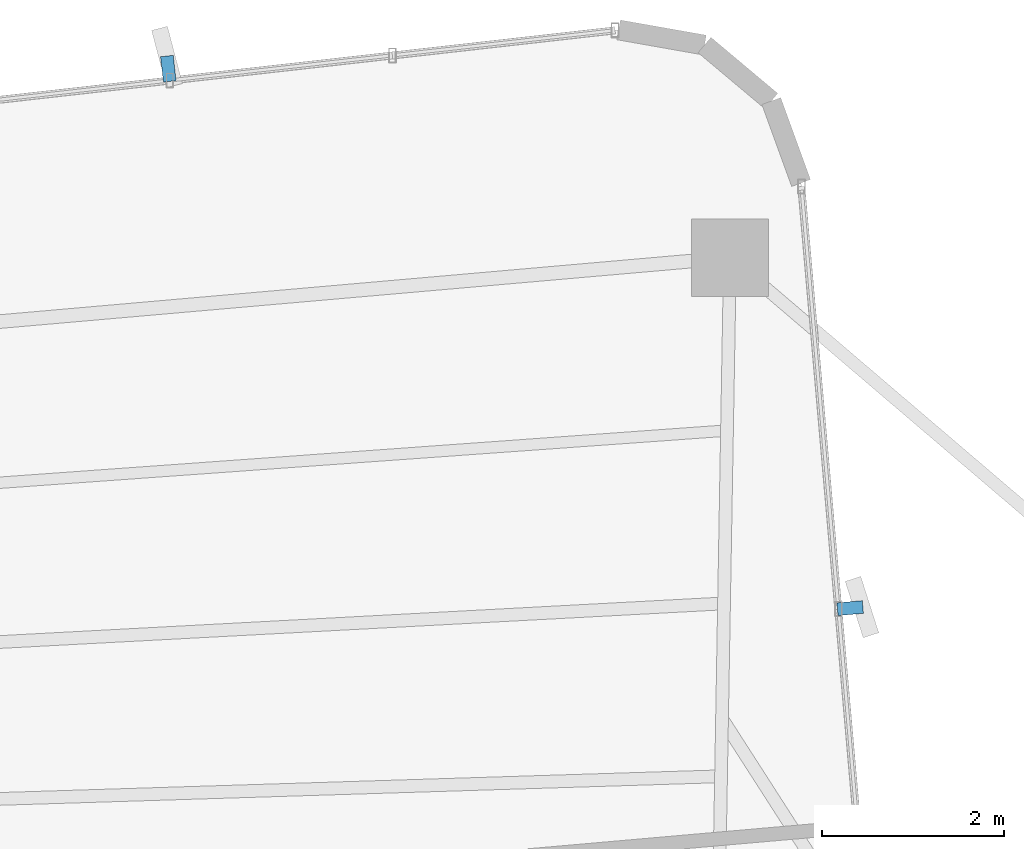
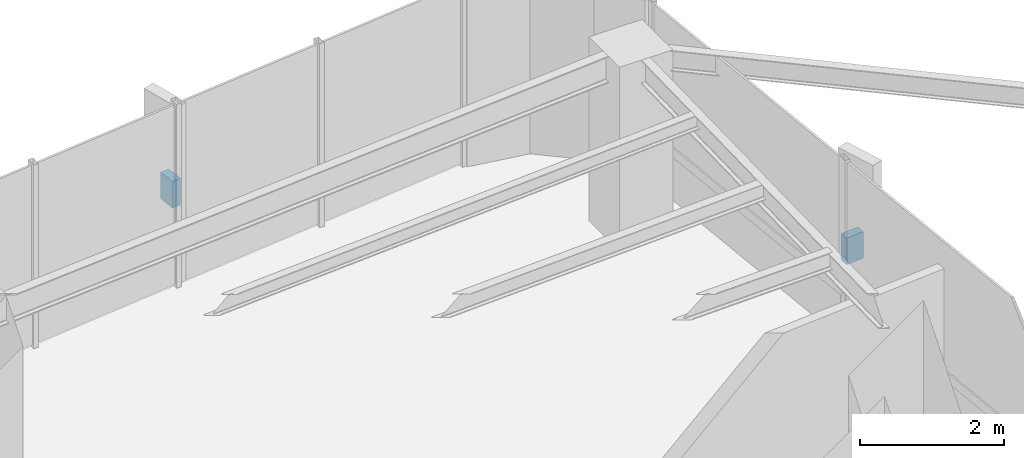
# One storey, part 23 of 24: 2 discrete accessories.
"""IFC4 building model written with IfcOpenShell, lengths in metres."""

import ifcopenshell
import ifcopenshell.guid

model = None  # the IFC model being written
_history = None  # IfcOwnerHistory: only IFC2X3 demands one
_inside = {}  # id of a spatial element -> (the spatial element, [elements in it])
_under = {}  # id of a project, library or spatial element -> (it, [spatial elements below it])
_declared = {}  # id of a project -> (the project, [libraries it declares])
_typed = {}  # id of a type object -> (the type object, [elements of that type])
_made_of = {}  # id of a material, layer set ... -> (it, [elements and type objects made of it])


def new_model(schema):
    """Start an empty IFC model of exactly this schema.

    Asked for "IFC4X3", IfcOpenShell would pick the latest addendum, in which some entities
    have other attributes; the version numbers below select the first issue.
    IFC2X3 requires an IfcOwnerHistory on every rooted entity: one is made here for all.
    """
    global model, _history
    if schema == "IFC4X3":
        model = ifcopenshell.file(schema_version=(4, 3, 0, 0))
    else:
        model = ifcopenshell.file(schema=schema)
    _inside.clear()
    _under.clear()
    _declared.clear()
    _typed.clear()
    _made_of.clear()
    _history = None
    if model.schema == "IFC2X3":
        org = make("IfcOrganization", Name="unknown")
        user = make(
            "IfcPersonAndOrganization",
            ThePerson=make("IfcPerson", FamilyName="unknown"),
            TheOrganization=org,
        )
        app = make(
            "IfcApplication",
            ApplicationDeveloper=org,
            Version="unknown",
            ApplicationFullName="unknown",
            ApplicationIdentifier="unknown",
        )
        _history = make(
            "IfcOwnerHistory",
            OwningUser=user,
            OwningApplication=app,
            ChangeAction="ADDED",
            CreationDate=0,
        )
    return model


def make(cls, **values):
    """One entity of the class cls with the attributes given. An attribute that is None is left unset."""
    return model.create_entity(
        cls, **{name: value for name, value in values.items() if value is not None}
    )


def rooted(cls, **values):
    """An entity with a GlobalId (a new one), such as an element, a storey or a relation."""
    return make(cls, GlobalId=ifcopenshell.guid.new(), OwnerHistory=_history, **values)


def si_unit(unit_type, name, prefix=None):
    """IfcSIUnit, for example si_unit("LENGTHUNIT", "METRE", prefix="MILLI")."""
    return make("IfcSIUnit", UnitType=unit_type, Prefix=prefix, Name=name)


def assignment(units):
    """IfcUnitAssignment: the units of a project."""
    return None if units is None else make("IfcUnitAssignment", Units=units)


def point(xyz):
    """IfcCartesianPoint."""
    return None if xyz is None else make("IfcCartesianPoint", Coordinates=xyz)


def direction(xyz):
    """IfcDirection."""
    return None if xyz is None else make("IfcDirection", DirectionRatios=xyz)


def frame(location, z_axis=None, x_axis=None):
    """IfcAxis2Placement3D, a coordinate frame: its origin and axes. An axis left out is left unset."""
    return make(
        "IfcAxis2Placement3D",
        Location=point(location),
        Axis=direction(z_axis),
        RefDirection=direction(x_axis),
    )


def frame_2d(location, x_axis=None):
    """IfcAxis2Placement2D, a coordinate frame in the plane: its origin and x axis."""
    return make(
        "IfcAxis2Placement2D", Location=point(location), RefDirection=direction(x_axis)
    )


def origin():
    """The frame at (0, 0, 0) with its axes left unset."""
    return frame((0.0, 0.0, 0.0))


def origin_2d():
    """The frame at (0, 0) in the plane with its x axis left unset."""
    return frame_2d((0.0, 0.0))


def place(relative_to, where):
    """IfcLocalPlacement: puts the frame where relative to a parent placement (None: the world)."""
    return make(
        "IfcLocalPlacement", PlacementRelTo=relative_to, RelativePlacement=where
    )


def context(
    kind, dimensions, precision=None, world=None, true_north=None, identifier=None
):
    """IfcGeometricRepresentationContext, for example the 3D "Model" context."""
    return make(
        "IfcGeometricRepresentationContext",
        ContextIdentifier=identifier,
        ContextType=kind,
        CoordinateSpaceDimension=dimensions,
        Precision=precision,
        WorldCoordinateSystem=world,
        TrueNorth=true_north,
    )


def subcontext(parent, identifier, kind, view, scale=None):
    """IfcGeometricRepresentationSubContext, for example "Body" below "Model"."""
    return make(
        "IfcGeometricRepresentationSubContext",
        ContextIdentifier=identifier,
        ContextType=kind,
        ParentContext=parent,
        TargetScale=scale,
        TargetView=view,
    )


def project(units=None, contexts=None):
    """IfcProject with its units and contexts."""
    return rooted(
        "IfcProject",
        Name="project",
        RepresentationContexts=contexts,
        UnitsInContext=assignment(units),
    )


def spatial(cls, under=None, at=None, **own):
    """A site, building, storey or space (cls), placed at a placement, below another one or the project."""
    s = rooted(cls, ObjectPlacement=at, **own)
    if under is not None:
        _under.setdefault(under.id(), (under, []))[1].append(s)
    return s


def profile(cls, at=None, kind="AREA", **sizes):
    """A parametric profile (cls). Its sizes go by their IFC names, for example OverallWidth=200.0."""
    return make(cls, ProfileType=kind, Position=at, **sizes)


def rectangle(**sizes):
    """IfcRectangleProfileDef."""
    return profile("IfcRectangleProfileDef", **sizes)


def extrude(swept, where, along, depth):
    """IfcExtrudedAreaSolid: the profile swept, set in the frame where, extruded along a direction by depth."""
    return make(
        "IfcExtrudedAreaSolid",
        SweptArea=swept,
        Position=where,
        ExtrudedDirection=direction(along),
        Depth=depth,
    )


def shape(context_of_items, identifier, shape_type, items):
    """IfcShapeRepresentation: the items that make up one representation, for example the "Body"."""
    return make(
        "IfcShapeRepresentation",
        ContextOfItems=context_of_items,
        RepresentationIdentifier=identifier,
        RepresentationType=shape_type,
        Items=items,
    )


def source(mapping_origin, context_of_items, identifier, shape_type, items):
    """IfcRepresentationMap: a shape defined once, which mapped items show again and again."""
    return make(
        "IfcRepresentationMap",
        MappingOrigin=mapping_origin,
        MappedRepresentation=shape(context_of_items, identifier, shape_type, items),
    )


def transform(
    local_origin,
    x_axis=None,
    y_axis=None,
    z_axis=None,
    scale=None,
    scale2=None,
    scale3=None,
    uniform=True,
):
    """IfcCartesianTransformationOperator3D, or its non-uniform kind. x_axis, y_axis, z_axis: its Axis1, 2, 3."""
    if uniform:
        return make(
            "IfcCartesianTransformationOperator3D",
            Axis1=direction(x_axis),
            Axis2=direction(y_axis),
            LocalOrigin=point(local_origin),
            Scale=scale,
            Axis3=direction(z_axis),
        )
    return make(
        "IfcCartesianTransformationOperator3DnonUniform",
        Axis1=direction(x_axis),
        Axis2=direction(y_axis),
        LocalOrigin=point(local_origin),
        Scale=scale,
        Axis3=direction(z_axis),
        Scale2=scale2,
        Scale3=scale3,
    )


def mapped(mapping_source, mapping_target):
    """IfcMappedItem: shows the shape of a source again, moved by a transform."""
    return make(
        "IfcMappedItem", MappingSource=mapping_source, MappingTarget=mapping_target
    )


def material(Name=None, Category=None):
    """IfcMaterial."""
    return make("IfcMaterial", Name=Name, Category=Category)


def made_of(thing, what):
    """Note that an element or type object is made of a material, layer set ...; save() writes the relation."""
    if what is not None:
        _made_of.setdefault(what.id(), (what, []))[1].append(thing)
    return thing


def type_object(cls, material=None, **own):
    """A type object (cls), such as IfcWallType, which elements share."""
    return made_of(rooted(cls, **own), material)


def element(
    cls,
    number,
    at=None,
    inside=None,
    cuts=None,
    type_object=None,
    material=None,
    context=None,
    identifier="Body",
    shape_type=None,
    held_by="IfcProductDefinitionShape",
    body=None,
    shapes=None,
    **own,
):
    """One element of the class cls, such as IfcWall. Its Tag is "e" and its number.

    at: its placement. inside: the storey or other place that contains it. cuts: it is an
    opening in that element (IfcRelVoidsElement). A single representation is given by context,
    identifier, shape_type and body (its items); several are given by shapes. held_by: the class
    of the entity that holds the representations. save() writes the other relations.
    """
    e = rooted(cls, Tag="e%d" % number, ObjectPlacement=at, **own)
    if body is not None:
        shapes = [shape(context, identifier, shape_type, body)]
    if shapes is not None:
        e.Representation = make(held_by, Representations=shapes)
    if inside is not None:
        _inside.setdefault(inside.id(), (inside, []))[1].append(e)
    if cuts is not None:
        rooted(
            "IfcRelVoidsElement", RelatingBuildingElement=cuts, RelatedOpeningElement=e
        )
    if type_object is not None:
        _typed.setdefault(type_object.id(), (type_object, []))[1].append(e)
    return made_of(e, material)


def aggregate(whole, parts):
    """IfcRelAggregates: a whole, such as a stair, and the parts it consists of."""
    return rooted("IfcRelAggregates", RelatingObject=whole, RelatedObjects=parts)


def save(model, path):
    """Write the relations noted so far, then the file.

    IfcRelAggregates (storeys below a building ...), IfcRelContainedInSpatialStructure (elements
    in a storey), IfcRelDefinesByType, IfcRelAssociatesMaterial and IfcRelDeclares: one each for
    every whole, place, type object, material and project.
    """
    for whole, parts in _under.values():
        aggregate(whole, parts)
    for where, things in _inside.values():
        rooted(
            "IfcRelContainedInSpatialStructure",
            RelatedElements=things,
            RelatingStructure=where,
        )
    for kind, things in _typed.values():
        rooted("IfcRelDefinesByType", RelatedObjects=things, RelatingType=kind)
    for what, things in _made_of.values():
        rooted("IfcRelAssociatesMaterial", RelatedObjects=things, RelatingMaterial=what)
    for by, libraries in _declared.values():
        rooted("IfcRelDeclares", RelatingContext=by, RelatedDefinitions=libraries)
    model.write(path)


model = new_model("IFC4")

# Units and contexts
model_context = context("Model", 3, precision=1e-05, world=origin(), true_north=direction((0.0, 1.0)))
body_context = subcontext(model_context, "Body", "Model", "MODEL_VIEW")
ifc_project = project(units=[si_unit("LENGTHUNIT", "METRE"), si_unit("AREAUNIT", "SQUARE_METRE"), si_unit("VOLUMEUNIT", "CUBIC_METRE"), si_unit("PLANEANGLEUNIT", "RADIAN"), si_unit("MASSUNIT", "GRAM", prefix="KILO")], contexts=[model_context])

# Site, building, storey
site_placement = place(None, origin())
site = spatial("IfcSite", under=ifc_project, at=site_placement, CompositionType="ELEMENT")
building_placement = place(site_placement, origin())
building = spatial("IfcBuilding", under=site, at=building_placement, Name="Sahyath Konkavel Grand Hotel", CompositionType="ELEMENT")
storey_placement = place(building_placement, frame((0.0, 0.0, 160.64990234375)))
storey = spatial("IfcBuildingStorey", under=building, at=storey_placement, Name="L44", CompositionType="ELEMENT", Elevation=160.64990234375)

# Discrete accessories
ifc_material = material(Name="Steel E350", Category="steel")
discrete_accessory_type = type_object("IfcDiscreteAccessoryType", Name="ACC-FIN-BRACKET", PredefinedType="BRACKET", material=ifc_material)
shared_shape = source(origin(), body_context, "Body", "SweptSolid", [
    extrude(rectangle(XDim=0.280029296875, YDim=0.139892578125, at=origin_2d()), origin(), (0.0, 0.0, 1.0), 0.449951171875),
])
for number, where, z_axis, x_axis, name in (
    (1, (5.2568359375, 14.262451171875, 1.330078125), (0.0, 0.0, 1.0), (0.996194698092, 0.087155742748, 0.0), "L44 Fin Support Bracket F8-1"),
    (2, (-2.23388671875, 20.188232421875, 1.330078125), (0.0, 0.0, 1.0), (-0.112006596052, 0.993707463211, 0.0), "L44 Fin Support Bracket F12-2"),
):
    element("IfcDiscreteAccessory", number, at=place(storey_placement, frame(where, z_axis=z_axis, x_axis=x_axis)), inside=storey, type_object=discrete_accessory_type, Name=name, PredefinedType="BRACKET", context=body_context, shape_type="MappedRepresentation", body=[
        mapped(shared_shape, transform((0.0, 0.0, 0.0), scale=1.0)),
    ])

save(model, "model.ifc")
